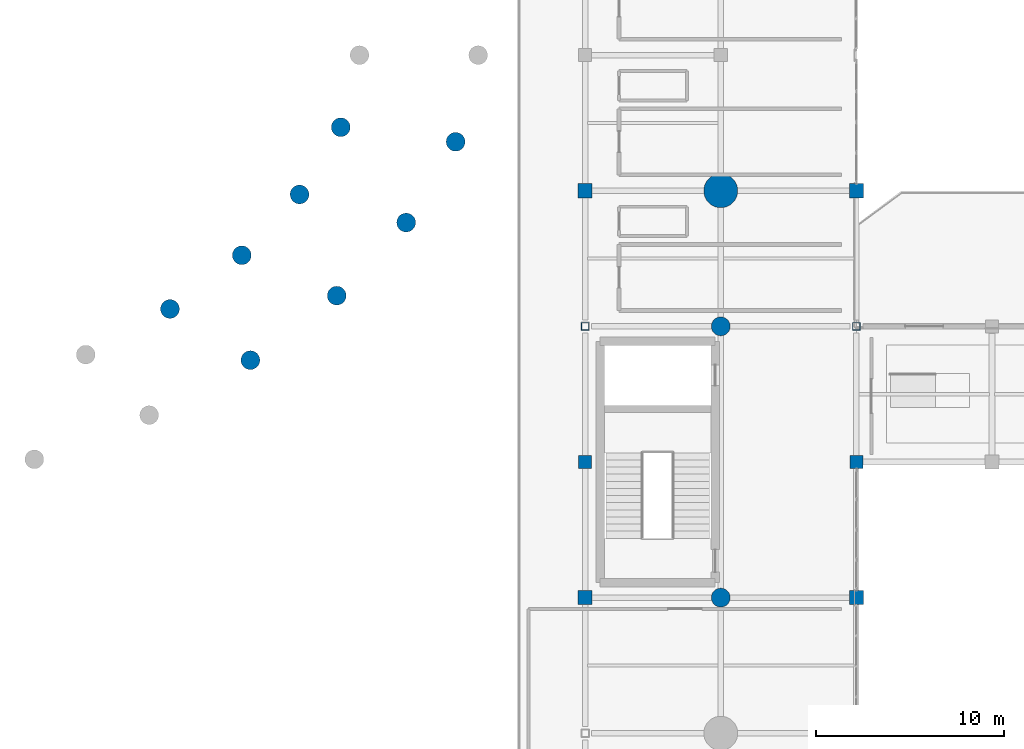
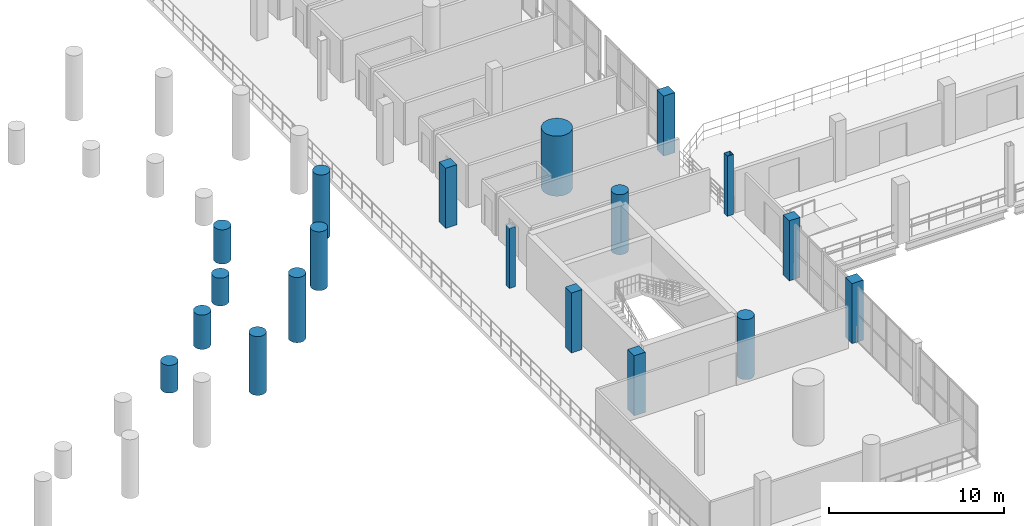
# One storey, part 7 of 130: 19 columns.
"""IFC4 building model written with IfcOpenShell, lengths in metres."""

from ifc_helpers import new_model, si_unit, direction, frame, origin, origin_2d, place, context, subcontext, project, spatial, rectangle, hollow_rectangle, circle, extrude, material, material_profile, profile_set, type_object, element, save


model = new_model("IFC4")

# Units and contexts
model_context = context("Model", 3, precision=1e-05, world=origin(), true_north=direction((0.0, 1.0)))
body_context = subcontext(model_context, "Body", "Model", "MODEL_VIEW")
ifc_project = project(units=[si_unit("LENGTHUNIT", "METRE"), si_unit("AREAUNIT", "SQUARE_METRE"), si_unit("VOLUMEUNIT", "CUBIC_METRE"), si_unit("PLANEANGLEUNIT", "RADIAN"), si_unit("MASSUNIT", "GRAM", prefix="KILO")], contexts=[model_context])

# Site, building, storey
site_placement = place(None, origin())
site = spatial("IfcSite", under=ifc_project, at=site_placement, CompositionType="ELEMENT")
building_placement = place(site_placement, origin())
building = spatial("IfcBuilding", under=site, at=building_placement, Name="Qandorah Velis Arena", CompositionType="ELEMENT")
storey_placement = place(building_placement, frame((0.0, 0.0, 9.60009765625)))
storey = spatial("IfcBuildingStorey", under=building, at=storey_placement, Name="L02", CompositionType="ELEMENT", Elevation=9.60009765625)

# Columns
ifc_material_1 = material(Name="Concrete C50/60", Category="concrete")
ifc_material_profile_1 = material_profile(ifc_material_1, circle(Radius=0.89990234375, at=origin_2d()), Name="MC D1800")
ifc_profile_set_1 = profile_set([ifc_material_profile_1], Name="Concrete C50/60")
column_type_1 = type_object("IfcColumnType", Name="STR-COL-MC1800", PredefinedType="COLUMN", material=ifc_profile_set_1)
column_1_placement = place(storey_placement, frame((115.199951171875, 57.60009765625, 0.0), z_axis=(0.0, 0.0, 1.0), x_axis=(1.0, 0.0, 0.0)))
element("IfcColumn", 1, at=column_1_placement, inside=storey, type_object=column_type_1, Name="Mega column MC9 (L02)", PredefinedType="COLUMN", context=body_context, shape_type="SweptSolid", body=[
    extrude(circle(Radius=0.89990234375, at=origin_2d()), origin(), (0.0, 0.0, 1.0), 4.199951171875),
])
ifc_material_2 = material(Name="Concrete C40/50", Category="concrete")
ifc_material_profile_2 = material_profile(ifc_material_2, rectangle(XDim=0.699951171875, YDim=0.699951171875, at=origin_2d()), Name="RC COL 700x700")
ifc_profile_set_2 = profile_set([ifc_material_profile_2], Name="Concrete C40/50")
column_type_2 = type_object("IfcColumnType", Name="STR-COL-RC700", PredefinedType="COLUMN", material=ifc_profile_set_2)
for number, where, z_axis, x_axis, name in (
    (2, (108.0, 43.199951171875, 0.0), (0.0, 0.0, 1.0), (1.0, 0.0, 0.0), "Structural column L02-154"),
    (3, (122.39990234375, 43.199951171875, 0.0), (0.0, 0.0, 1.0), (1.0, 0.0, 0.0), "Structural column L02-187"),
):
    element("IfcColumn", number, at=place(storey_placement, frame(where, z_axis=z_axis, x_axis=x_axis)), inside=storey, type_object=column_type_2, Name=name, PredefinedType="COLUMN", context=body_context, shape_type="SweptSolid", body=[
        extrude(rectangle(XDim=0.699951171875, YDim=0.699951171875, at=origin_2d()), origin(), (0.0, 0.0, 1.0), 4.199951171875),
    ])
ifc_material_profile_3 = material_profile(ifc_material_2, rectangle(XDim=0.75, YDim=0.75, at=origin_2d()), Name="RC COL 750x750")
ifc_profile_set_3 = profile_set([ifc_material_profile_3], Name="Concrete C40/50")
column_type_3 = type_object("IfcColumnType", Name="STR-COL-RC750", PredefinedType="COLUMN", material=ifc_profile_set_3)
for number, where, z_axis, x_axis, name in (
    (4, (108.0, 36.0, 0.0), (0.0, 0.0, 1.0), (1.0, 0.0, 0.0), "Structural column L02-153"),
    (5, (108.0, 57.60009765625, 0.0), (0.0, 0.0, 1.0), (1.0, 0.0, 0.0), "Structural column L02-156"),
    (6, (122.39990234375, 36.0, 0.0), (0.0, 0.0, 1.0), (1.0, 0.0, 0.0), "Structural column L02-186"),
    (7, (122.39990234375, 57.60009765625, 0.0), (0.0, 0.0, 1.0), (1.0, 0.0, 0.0), "Structural column L02-189"),
):
    element("IfcColumn", number, at=place(storey_placement, frame(where, z_axis=z_axis, x_axis=x_axis)), inside=storey, type_object=column_type_3, Name=name, PredefinedType="COLUMN", context=body_context, shape_type="SweptSolid", body=[
        extrude(rectangle(XDim=0.75, YDim=0.75, at=origin_2d()), origin(), (0.0, 0.0, 1.0), 4.199951171875),
    ])
ifc_material_profile_4 = material_profile(ifc_material_2, circle(Radius=0.5, at=origin_2d()), Name="RC D1000")
ifc_profile_set_4 = profile_set([ifc_material_profile_4], Name="Concrete C40/50")
column_type_4 = type_object("IfcColumnType", Name="STR-COL-RCD1000", PredefinedType="COLUMN", material=ifc_profile_set_4)
for number, where, z_axis, x_axis, name in (
    (8, (115.199951171875, 36.0, 0.0), (0.0, 0.0, 1.0), (1.0, 0.0, 0.0), "Bowl drum ring column L02-172"),
    (9, (115.199951171875, 50.39990234375, 0.0), (0.0, 0.0, 1.0), (1.0, 0.0, 0.0), "Bowl drum ring column L02-173"),
):
    element("IfcColumn", number, at=place(storey_placement, frame(where, z_axis=z_axis, x_axis=x_axis)), inside=storey, type_object=column_type_4, Name=name, PredefinedType="COLUMN", context=body_context, shape_type="SweptSolid", body=[
        extrude(circle(Radius=0.5, at=origin_2d()), origin(), (0.0, 0.0, 1.0), 4.199951171875),
    ])
column_2_placement = place(storey_placement, frame((85.959716796875, 51.326416015625, 0.0), z_axis=(0.0, 0.0, 1.0), x_axis=(1.0, 0.0, 0.0)))
element("IfcColumn", 10, at=column_2_placement, inside=storey, type_object=column_type_4, Name="Upper raker fulcrum column L02 15.1", PredefinedType="COLUMN", context=body_context, shape_type="SweptSolid", body=[
    extrude(circle(Radius=0.5, at=origin_2d()), origin(), (0.0, 0.0, 1.0), 1.94482421875),
])
column_3_placement = place(storey_placement, frame((90.229736328125, 48.607666015625, 0.0), z_axis=(0.0, 0.0, 1.0), x_axis=(1.0, 0.0, 0.0)))
element("IfcColumn", 11, at=column_3_placement, inside=storey, type_object=column_type_4, Name="Outer bowl raker column L02 15.1", PredefinedType="COLUMN", context=body_context, shape_type="SweptSolid", body=[
    extrude(circle(Radius=0.5, at=origin_2d()), origin(), (0.0, 0.0, 1.0), 4.109619140625),
])
column_4_placement = place(storey_placement, frame((89.772216796875, 54.17529296875, 0.0), z_axis=(0.0, 0.0, 1.0), x_axis=(1.0, 0.0, 0.0)))
element("IfcColumn", 12, at=column_4_placement, inside=storey, type_object=column_type_4, Name="Upper raker fulcrum column L02 15.2", PredefinedType="COLUMN", context=body_context, shape_type="SweptSolid", body=[
    extrude(circle(Radius=0.5, at=origin_2d()), origin(), (0.0, 0.0, 1.0), 2.39501953125),
])
column_5_placement = place(storey_placement, frame((94.8115234375, 52.03125, 0.0), z_axis=(0.0, 0.0, 1.0), x_axis=(1.0, 0.0, 0.0)))
element("IfcColumn", 13, at=column_5_placement, inside=storey, type_object=column_type_4, Name="Outer bowl raker column L02 15.2", PredefinedType="COLUMN", context=body_context, shape_type="SweptSolid", body=[
    extrude(circle(Radius=0.5, at=origin_2d()), origin(), (0.0, 0.0, 1.0), 4.5595703125),
])
column_6_placement = place(storey_placement, frame((92.840087890625, 57.404296875, 0.0), z_axis=(0.0, 0.0, 1.0), x_axis=(1.0, 0.0, 0.0)))
element("IfcColumn", 14, at=column_6_placement, inside=storey, type_object=column_type_4, Name="Upper raker fulcrum column L02 16.1", PredefinedType="COLUMN", context=body_context, shape_type="SweptSolid", body=[
    extrude(circle(Radius=0.5, at=origin_2d()), origin(), (0.0, 0.0, 1.0), 1.94482421875),
])
column_7_placement = place(storey_placement, frame((98.498291015625, 55.912109375, 0.0), z_axis=(0.0, 0.0, 1.0), x_axis=(1.0, 0.0, 0.0)))
element("IfcColumn", 15, at=column_7_placement, inside=storey, type_object=column_type_4, Name="Outer bowl raker column L02 16.1", PredefinedType="COLUMN", context=body_context, shape_type="SweptSolid", body=[
    extrude(circle(Radius=0.5, at=origin_2d()), origin(), (0.0, 0.0, 1.0), 4.109619140625),
])
column_8_placement = place(storey_placement, frame((95.02587890625, 60.9716796875, 0.0), z_axis=(0.0, 0.0, 1.0), x_axis=(1.0, 0.0, 0.0)))
element("IfcColumn", 16, at=column_8_placement, inside=storey, type_object=column_type_4, Name="Upper raker fulcrum column L02 16.2", PredefinedType="COLUMN", context=body_context, shape_type="SweptSolid", body=[
    extrude(circle(Radius=0.5, at=origin_2d()), origin(), (0.0, 0.0, 1.0), 2.39501953125),
])
column_9_placement = place(storey_placement, frame((101.12548828125, 60.19921875, 0.0), z_axis=(0.0, 0.0, 1.0), x_axis=(1.0, 0.0, 0.0)))
element("IfcColumn", 17, at=column_9_placement, inside=storey, type_object=column_type_4, Name="Outer bowl raker column L02 16.2", PredefinedType="COLUMN", context=body_context, shape_type="SweptSolid", body=[
    extrude(circle(Radius=0.5, at=origin_2d()), origin(), (0.0, 0.0, 1.0), 4.5595703125),
])
ifc_material_3 = material(Name="Steel S355", Category="steel")
ifc_material_profile_5 = material_profile(ifc_material_3, hollow_rectangle(XDim=0.39990234375, YDim=0.39990234375, WallThickness=0.02001953125, at=origin_2d()), Name="SHS 400x400x20")
ifc_profile_set_5 = profile_set([ifc_material_profile_5], Name="Steel S355")
column_type_5 = type_object("IfcColumnType", Name="STR-COL-SHS400", PredefinedType="COLUMN", material=ifc_profile_set_5)
for number, where, z_axis, x_axis, name in (
    (18, (108.0, 50.39990234375, 0.0), (0.0, 0.0, 1.0), (1.0, 0.0, 0.0), "Structural column L02-155"),
    (19, (122.39990234375, 50.39990234375, 0.0), (0.0, 0.0, 1.0), (1.0, 0.0, 0.0), "Structural column L02-188"),
):
    element("IfcColumn", number, at=place(storey_placement, frame(where, z_axis=z_axis, x_axis=x_axis)), inside=storey, type_object=column_type_5, Name=name, PredefinedType="COLUMN", context=body_context, shape_type="SweptSolid", body=[
        extrude(hollow_rectangle(XDim=0.39990234375, YDim=0.39990234375, WallThickness=0.02001953125, at=origin_2d()), origin(), (0.0, 0.0, 1.0), 4.199951171875),
    ])

save(model, "model.ifc")
